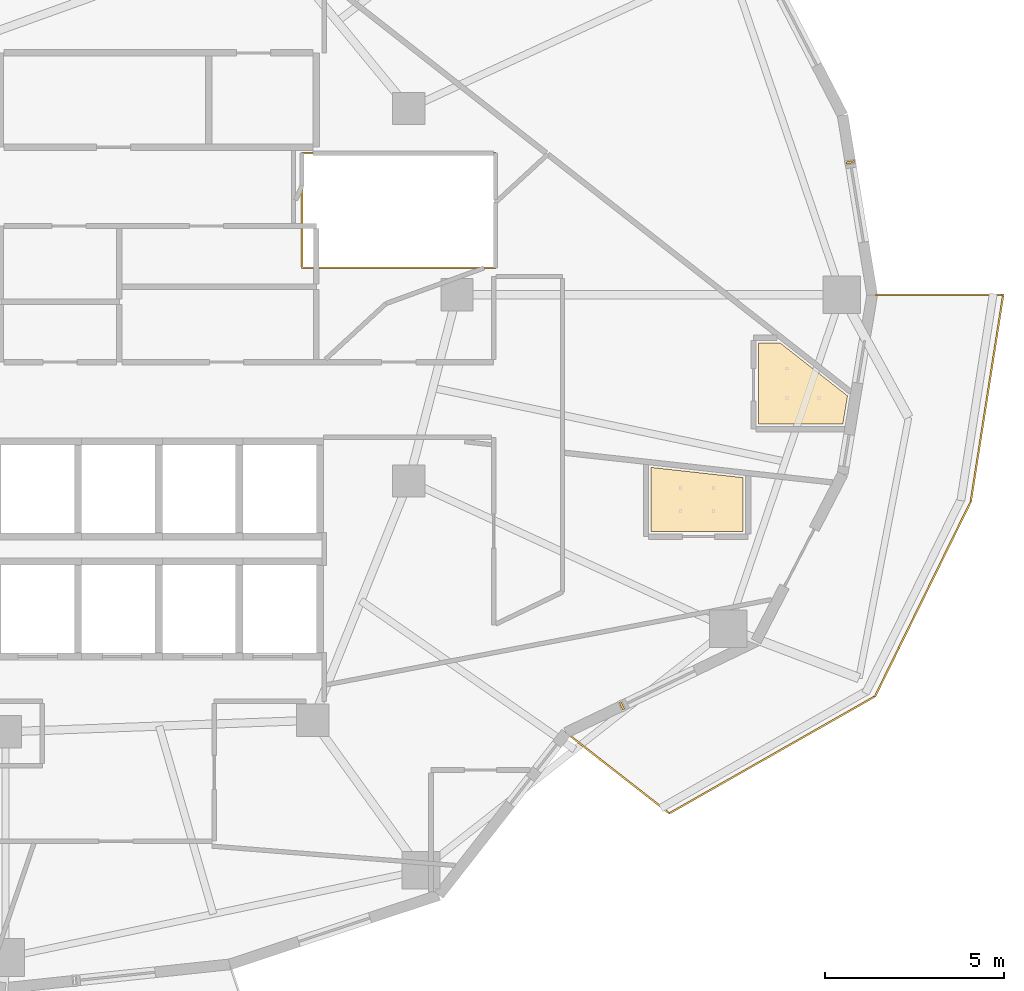
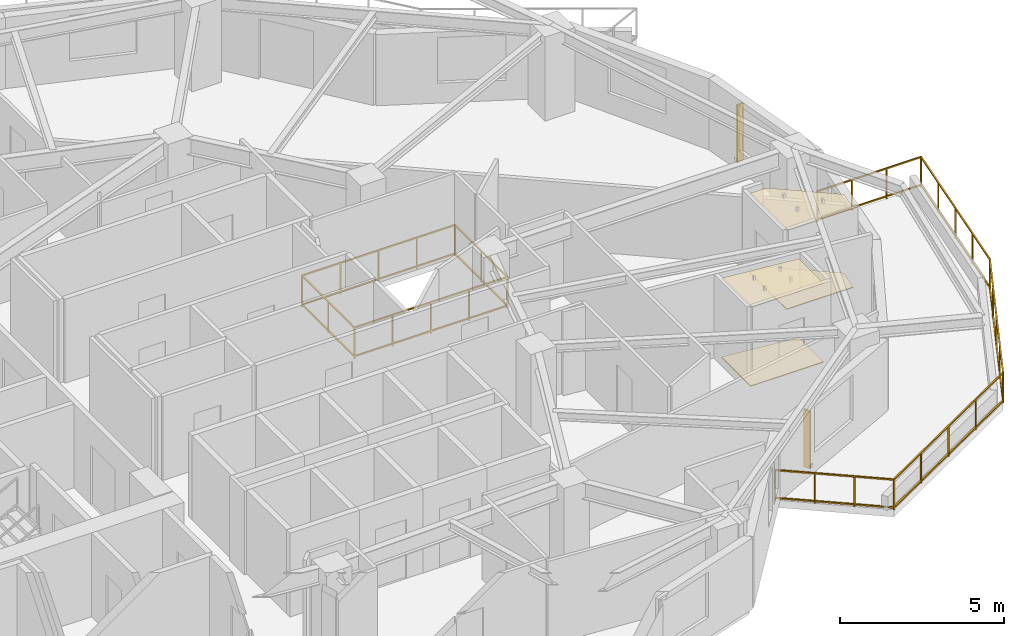
# One storey, part 12 of 14: 4 coverings, 2 railings, 2 shading devices.
"""IFC4 building model written with IfcOpenShell, lengths in metres."""

from ifc_helpers import new_model, si_unit, direction, frame, origin, origin_2d, place, context, subcontext, project, spatial, polyline, rectangle, outline, extrude, material, layer, layer_set, type_object, element, save


model = new_model("IFC4")

# Units and contexts
model_context = context("Model", 3, precision=1e-05, world=origin(), true_north=direction((0.0, 1.0)))
body_context = subcontext(model_context, "Body", "Model", "MODEL_VIEW")
ifc_project = project(units=[si_unit("LENGTHUNIT", "METRE"), si_unit("AREAUNIT", "SQUARE_METRE"), si_unit("VOLUMEUNIT", "CUBIC_METRE"), si_unit("PLANEANGLEUNIT", "RADIAN"), si_unit("MASSUNIT", "GRAM", prefix="KILO")], contexts=[model_context])

# Site, building, storey
site_placement = place(None, origin())
site = spatial("IfcSite", under=ifc_project, at=site_placement, CompositionType="ELEMENT")
building_placement = place(site_placement, origin())
building = spatial("IfcBuilding", under=site, at=building_placement, Name="Kolvaren Gate Tower and Convention Centre", CompositionType="ELEMENT")
storey_placement = place(building_placement, frame((0.0, 0.0, 112.10009765625)))
storey = spatial("IfcBuildingStorey", under=building, at=storey_placement, Name="L27", CompositionType="ELEMENT", Elevation=112.10009765625)

# Coverings
ifc_material_1 = material(Name="Perforated Mineral-Fibre Acoustic Ceiling Tile 18 mm", Category="gypsum")
ifc_layer_1 = layer(ifc_material_1, 0.01806640625)
ifc_layer_set_1 = layer_set([ifc_layer_1], Name="Perforated Mineral-Fibre Acoustic Ceiling Tile 18 mm")
covering_type_1 = type_object("IfcCoveringType", Name="ARCH-COV-CEIL-18", PredefinedType="CEILING", material=ifc_layer_set_1)
covering_1_placement = place(storey_placement, frame((0.0, 0.0, 2.949951171875)))
element("IfcCovering", 1, at=covering_1_placement, inside=storey, type_object=covering_type_1, Name="En-suite Bathroom (HTL-L27-05) Acoustic Suspended Ceiling", PredefinedType="CEILING", context=body_context, shape_type="SweptSolid", body=[
    extrude(outline(polyline([(50.7099609375, 20.389892578125), (48.139892578125, 20.389892578125), (48.139892578125, 22.179931640625), (50.7099609375, 21.89501953125), (50.7099609375, 20.389892578125)])), origin(), (0.0, 0.0, 1.0), 0.01806640625),
])
covering_2_placement = place(storey_placement, frame((0.0, 0.0, 2.949951171875)))
element("IfcCovering", 2, at=covering_2_placement, inside=storey, type_object=covering_type_1, Name="En-suite Bathroom (HTL-L27-06) Acoustic Suspended Ceiling", PredefinedType="CEILING", context=body_context, shape_type="SweptSolid", body=[
    extrude(outline(polyline([(51.139892578125, 23.389892578125), (51.139892578125, 25.659912109375), (51.737060546875, 25.659912109375), (53.625, 24.177978515625), (53.4951171875, 23.389892578125), (51.139892578125, 23.389892578125)])), origin(), (0.0, 0.0, 1.0), 0.01806640625),
])
ifc_material_2 = material(Name="Honed Sabana Limestone Terrazzo Flooring 30 mm", Category="masonry")
ifc_layer_2 = layer(ifc_material_2, 0.030029296875)
ifc_layer_set_2 = layer_set([ifc_layer_2], Name="Honed Sabana Limestone Terrazzo Flooring 30 mm")
covering_type_2 = type_object("IfcCoveringType", Name="ARCH-COV-FLR-30", PredefinedType="FLOORING", material=ifc_layer_set_2)
covering_3_placement = place(storey_placement, origin())
element("IfcCovering", 3, at=covering_3_placement, inside=storey, type_object=covering_type_2, Name="En-suite Bathroom (HTL-L27-05) Interior Finish Flooring", PredefinedType="FLOORING", context=body_context, shape_type="SweptSolid", body=[
    extrude(outline(polyline([(50.7099609375, 20.389892578125), (48.139892578125, 20.389892578125), (48.139892578125, 22.179931640625), (50.7099609375, 21.89501953125), (50.7099609375, 20.389892578125)])), origin(), (0.0, 0.0, 1.0), 0.02978515625),
])
covering_4_placement = place(storey_placement, origin())
element("IfcCovering", 4, at=covering_4_placement, inside=storey, type_object=covering_type_2, Name="En-suite Bathroom (HTL-L27-06) Interior Finish Flooring", PredefinedType="FLOORING", context=body_context, shape_type="SweptSolid", body=[
    extrude(outline(polyline([(51.139892578125, 23.389892578125), (51.139892578125, 25.659912109375), (51.737060546875, 25.659912109375), (53.625, 24.177978515625), (53.4951171875, 23.389892578125), (51.139892578125, 23.389892578125)])), origin(), (0.0, 0.0, 1.0), 0.02978515625),
])

# Railings
ifc_material_3 = material(Name="Laminated Tempered Safety Glass Balustrade 21.5 mm", Category="glass")
railing_type_1 = type_object("IfcRailingType", Name="ARCH-RL-BALUST-1180", PredefinedType="BALUSTRADE", material=ifc_material_3)
railing_1_placement = place(storey_placement, frame((38.39990234375, 27.75, 0.0)))
element("IfcRailing", 5, at=railing_1_placement, inside=storey, type_object=railing_type_1, Name="Tower L27 Atrium Void Safety Balustrade", PredefinedType="BALUSTRADE", context=body_context, shape_type="SweptSolid", body=[
    extrude(rectangle(XDim=0.048095703125, YDim=0.048095703125, at=origin_2d()), frame((0.028076171875, 0.0, 1.15576171875), z_axis=(1.0, 0.0, 0.0), x_axis=(0.0, 1.0, 0.0)), (0.0, 0.0, 1.0), 5.343994140625),
    extrude(rectangle(XDim=0.048095703125, YDim=0.048095703125, at=origin_2d()), frame((0.028076171875, 0.0, 0.083984375), z_axis=(1.0, 0.0, 0.0), x_axis=(0.0, 1.0, 0.0)), (0.0, 0.0, 1.0), 5.343994140625),
    extrude(rectangle(XDim=0.048095703125, YDim=0.048095703125, at=origin_2d()), frame((5.400146484375, 0.028076171875, 1.15576171875), z_axis=(0.0, 1.0, 0.0), x_axis=(-1.0, 0.0, 0.0)), (0.0, 0.0, 1.0), 3.143798828125),
    extrude(rectangle(XDim=0.048095703125, YDim=0.048095703125, at=origin_2d()), frame((5.400146484375, 0.028076171875, 0.083984375), z_axis=(0.0, 1.0, 0.0), x_axis=(-1.0, 0.0, 0.0)), (0.0, 0.0, 1.0), 3.143798828125),
    extrude(rectangle(XDim=0.048095703125, YDim=0.048095703125, at=origin_2d()), frame((5.3720703125, 3.199951171875, 1.15576171875), z_axis=(-1.0, 0.0, 0.0), x_axis=(0.0, -1.0, 0.0)), (0.0, 0.0, 1.0), 5.343994140625),
    extrude(rectangle(XDim=0.048095703125, YDim=0.048095703125, at=origin_2d()), frame((5.3720703125, 3.199951171875, 0.083984375), z_axis=(-1.0, 0.0, 0.0), x_axis=(0.0, -1.0, 0.0)), (0.0, 0.0, 1.0), 5.343994140625),
    extrude(rectangle(XDim=0.048095703125, YDim=0.048095703125, at=origin_2d()), frame((0.0, 3.171875, 1.15576171875), z_axis=(0.0, -1.0, 0.0), x_axis=(1.0, 0.0, 0.0)), (0.0, 0.0, 1.0), 3.143798828125),
    extrude(rectangle(XDim=0.048095703125, YDim=0.048095703125, at=origin_2d()), frame((0.0, 3.171875, 0.083984375), z_axis=(0.0, -1.0, 0.0), x_axis=(1.0, 0.0, 0.0)), (0.0, 0.0, 1.0), 3.143798828125),
    extrude(rectangle(XDim=0.0419921875, YDim=0.0419921875, at=origin_2d()), origin(), (0.0, 0.0, 1.0), 1.179931640625),
    extrude(rectangle(XDim=0.0419921875, YDim=0.0419921875, at=origin_2d()), frame((5.400146484375, 0.0, 0.0)), (0.0, 0.0, 1.0), 1.179931640625),
    extrude(rectangle(XDim=0.0419921875, YDim=0.0419921875, at=origin_2d()), frame((1.35009765625, 0.0, 0.0)), (0.0, 0.0, 1.0), 1.1298828125),
    extrude(rectangle(XDim=0.0419921875, YDim=0.0419921875, at=origin_2d()), frame((2.7001953125, 0.0, 0.0)), (0.0, 0.0, 1.0), 1.1298828125),
    extrude(rectangle(XDim=0.0419921875, YDim=0.0419921875, at=origin_2d()), frame((4.050048828125, 0.0, 0.0)), (0.0, 0.0, 1.0), 1.1298828125),
    extrude(rectangle(XDim=0.0419921875, YDim=0.0419921875, at=origin_2d()), frame((5.400146484375, 3.199951171875, 0.0)), (0.0, 0.0, 1.0), 1.179931640625),
    extrude(rectangle(XDim=0.0419921875, YDim=0.0419921875, at=origin_2d()), frame((5.400146484375, 1.60009765625, 0.0)), (0.0, 0.0, 1.0), 1.1298828125),
    extrude(rectangle(XDim=0.0419921875, YDim=0.0419921875, at=origin_2d()), frame((0.0, 3.199951171875, 0.0)), (0.0, 0.0, 1.0), 1.179931640625),
    extrude(rectangle(XDim=0.0419921875, YDim=0.0419921875, at=origin_2d()), frame((4.050048828125, 3.199951171875, 0.0)), (0.0, 0.0, 1.0), 1.1298828125),
    extrude(rectangle(XDim=0.0419921875, YDim=0.0419921875, at=origin_2d()), frame((2.7001953125, 3.199951171875, 0.0)), (0.0, 0.0, 1.0), 1.1298828125),
    extrude(rectangle(XDim=0.0419921875, YDim=0.0419921875, at=origin_2d()), frame((1.35009765625, 3.199951171875, 0.0)), (0.0, 0.0, 1.0), 1.1298828125),
    extrude(rectangle(XDim=0.0419921875, YDim=0.0419921875, at=origin_2d()), frame((0.0, 1.60009765625, 0.0)), (0.0, 0.0, 1.0), 1.1298828125),
])
ifc_material_4 = material(Name="Brushed Stainless Steel Grade 316L", Category="steel")
railing_type_2 = type_object("IfcRailingType", Name="ARCH-RL-GUARD-1150", PredefinedType="GUARDRAIL", material=ifc_material_4)
railing_2_placement = place(storey_placement, frame((45.768798828125, 14.777099609375, 0.0)))
element("IfcRailing", 6, at=railing_2_placement, inside=storey, type_object=railing_type_2, Name="Tower L27 Terrace Perimeter Guardrail GR-4", PredefinedType="GUARDRAIL", context=body_context, shape_type="SweptSolid", body=[
    extrude(rectangle(XDim=0.048095703125, YDim=0.048095703125, at=origin_2d()), frame((0.022216796875, -0.017333984375, 1.1259765625), z_axis=(0.787963688807, -0.615721710776, 0.0), x_axis=(0.615721710776, 0.787963688807, 0.0)), (0.0, 0.0, 1.0), 3.603759765625),
    extrude(rectangle(XDim=0.048095703125, YDim=0.048095703125, at=origin_2d()), frame((0.022216796875, -0.017333984375, 0.083984375), z_axis=(0.787963688807, -0.615721710776, 0.0), x_axis=(0.615721710776, 0.787963688807, 0.0)), (0.0, 0.0, 1.0), 3.603759765625),
    extrude(rectangle(XDim=0.048095703125, YDim=0.048095703125, at=origin_2d()), frame((2.908203125, -2.239501953125, 1.1259765625), z_axis=(0.869196694318, 0.494466486819, 0.0), x_axis=(-0.494466486819, 0.869196694318, 0.0)), (0.0, 0.0, 1.0), 6.55029296875),
    extrude(rectangle(XDim=0.048095703125, YDim=0.048095703125, at=origin_2d()), frame((2.908203125, -2.239501953125, 0.083984375), z_axis=(0.869196694318, 0.494466486819, 0.0), x_axis=(-0.494466486819, 0.869196694318, 0.0)), (0.0, 0.0, 1.0), 6.55029296875),
    extrude(rectangle(XDim=0.048095703125, YDim=0.048095703125, at=origin_2d()), frame((8.638427734375, 1.038330078125, 1.1259765625), z_axis=(0.441237167293, 0.897390529368, 0.0), x_axis=(-0.897390529368, 0.441237167293, 0.0)), (0.0, 0.0, 1.0), 5.999755859375),
    extrude(rectangle(XDim=0.048095703125, YDim=0.048095703125, at=origin_2d()), frame((8.638427734375, 1.038330078125, 0.083984375), z_axis=(0.441237167293, 0.897390529368, 0.0), x_axis=(-0.897390529368, 0.441237167293, 0.0)), (0.0, 0.0, 1.0), 5.999755859375),
    extrude(rectangle(XDim=0.048095703125, YDim=0.048095703125, at=origin_2d()), frame((11.302490234375, 6.475341796875, 1.1259765625), z_axis=(0.154903030247, 0.987929679289, 0.0), x_axis=(-0.987929679289, 0.154903030247, 0.0)), (0.0, 0.0, 1.0), 5.78955078125),
    extrude(rectangle(XDim=0.048095703125, YDim=0.048095703125, at=origin_2d()), frame((11.302490234375, 6.475341796875, 0.083984375), z_axis=(0.154903030247, 0.987929679289, 0.0), x_axis=(-0.987929679289, 0.154903030247, 0.0)), (0.0, 0.0, 1.0), 5.78955078125),
    extrude(rectangle(XDim=0.048095703125, YDim=0.048095703125, at=origin_2d()), frame((12.175537109375, 12.222900390625, 1.1259765625), z_axis=(-1.0, 0.0, 0.0), x_axis=(0.0, -1.0, 0.0)), (0.0, 0.0, 1.0), 3.603759765625),
    extrude(rectangle(XDim=0.048095703125, YDim=0.048095703125, at=origin_2d()), frame((12.175537109375, 12.222900390625, 0.083984375), z_axis=(-1.0, 0.0, 0.0), x_axis=(0.0, -1.0, 0.0)), (0.0, 0.0, 1.0), 3.603759765625),
    extrude(rectangle(XDim=0.0419921875, YDim=0.0419921875, at=origin_2d()), origin(), (0.0, 0.0, 1.0), 1.14990234375),
    extrude(rectangle(XDim=0.0419921875, YDim=0.0419921875, at=origin_2d()), frame((2.8837890625, -2.25341796875, 0.0)), (0.0, 0.0, 1.0), 1.14990234375),
    extrude(rectangle(XDim=0.0419921875, YDim=0.0419921875, at=origin_2d()), frame((0.961181640625, -0.751220703125, 0.0)), (0.0, 0.0, 1.0), 1.099853515625),
    extrude(rectangle(XDim=0.0419921875, YDim=0.0419921875, at=origin_2d()), frame((1.922607421875, -1.502197265625, 0.0)), (0.0, 0.0, 1.0), 1.099853515625),
    extrude(rectangle(XDim=0.0419921875, YDim=0.0419921875, at=origin_2d()), frame((8.6259765625, 1.01318359375, 0.0)), (0.0, 0.0, 1.0), 1.14990234375),
    extrude(rectangle(XDim=0.0419921875, YDim=0.0419921875, at=origin_2d()), frame((4.3193359375, -1.436767578125, 0.0)), (0.0, 0.0, 1.0), 1.099853515625),
    extrude(rectangle(XDim=0.0419921875, YDim=0.0419921875, at=origin_2d()), frame((5.7548828125, -0.6201171875, 0.0)), (0.0, 0.0, 1.0), 1.099853515625),
    extrude(rectangle(XDim=0.0419921875, YDim=0.0419921875, at=origin_2d()), frame((7.1904296875, 0.196533203125, 0.0)), (0.0, 0.0, 1.0), 1.099853515625),
    extrude(rectangle(XDim=0.0419921875, YDim=0.0419921875, at=origin_2d()), frame((11.298095703125, 6.44775390625, 0.0)), (0.0, 0.0, 1.0), 1.14990234375),
    extrude(rectangle(XDim=0.0419921875, YDim=0.0419921875, at=origin_2d()), frame((9.2939453125, 2.371826171875, 0.0)), (0.0, 0.0, 1.0), 1.099853515625),
    extrude(rectangle(XDim=0.0419921875, YDim=0.0419921875, at=origin_2d()), frame((9.9619140625, 3.73046875, 0.0)), (0.0, 0.0, 1.0), 1.099853515625),
    extrude(rectangle(XDim=0.0419921875, YDim=0.0419921875, at=origin_2d()), frame((10.630126953125, 5.089111328125, 0.0)), (0.0, 0.0, 1.0), 1.099853515625),
    extrude(rectangle(XDim=0.0419921875, YDim=0.0419921875, at=origin_2d()), frame((12.20361328125, 12.222900390625, 0.0)), (0.0, 0.0, 1.0), 1.14990234375),
    extrude(rectangle(XDim=0.0419921875, YDim=0.0419921875, at=origin_2d()), frame((11.5244140625, 7.8916015625, 0.0)), (0.0, 0.0, 1.0), 1.099853515625),
    extrude(rectangle(XDim=0.0419921875, YDim=0.0419921875, at=origin_2d()), frame((11.7509765625, 9.33544921875, 0.0)), (0.0, 0.0, 1.0), 1.099853515625),
    extrude(rectangle(XDim=0.0419921875, YDim=0.0419921875, at=origin_2d()), frame((11.977294921875, 10.779052734375, 0.0)), (0.0, 0.0, 1.0), 1.099853515625),
    extrude(rectangle(XDim=0.0419921875, YDim=0.0419921875, at=origin_2d()), frame((8.543701171875, 12.222900390625, 0.0)), (0.0, 0.0, 1.0), 1.14990234375),
    extrude(rectangle(XDim=0.0419921875, YDim=0.0419921875, at=origin_2d()), frame((10.983642578125, 12.222900390625, 0.0)), (0.0, 0.0, 1.0), 1.099853515625),
    extrude(rectangle(XDim=0.0419921875, YDim=0.0419921875, at=origin_2d()), frame((9.763671875, 12.222900390625, 0.0)), (0.0, 0.0, 1.0), 1.099853515625),
])

# Shading devices
ifc_material_5 = material(Name="Kiln-Fired Bogota Terracotta Ceramic Louvre Profile", Category="masonry")
shading_device_type = type_object("IfcShadingDeviceType", Name="ARCH-SHD-FIN-180", PredefinedType="JALOUSIE", material=ifc_material_5)
for number, where, z_axis, x_axis, name in (
    (7, (53.7041015625, 30.69775390625, 0.219970703125), (0.0, 0.0, 1.0), (0.162389178836, -0.986726788223, 0.0), "Ceramic Vertical Brise-Soleil Fin FN-L27-00"),
    (8, (47.329833984375, 15.527099609375, 0.219970703125), (0.0, 0.0, 1.0), (0.901362925045, 0.433064518696, 0.0), "Ceramic Vertical Brise-Soleil Fin FN-L27-21"),
):
    element("IfcShadingDevice", number, at=place(storey_placement, frame(where, z_axis=z_axis, x_axis=x_axis)), inside=storey, type_object=shading_device_type, Name=name, PredefinedType="JALOUSIE", context=body_context, shape_type="SweptSolid", body=[
        extrude(rectangle(XDim=0.06005859375, YDim=0.239990234375, at=origin_2d()), origin(), (0.0, 0.0, 1.0), 2.14990234375),
    ])

save(model, "model.ifc")
